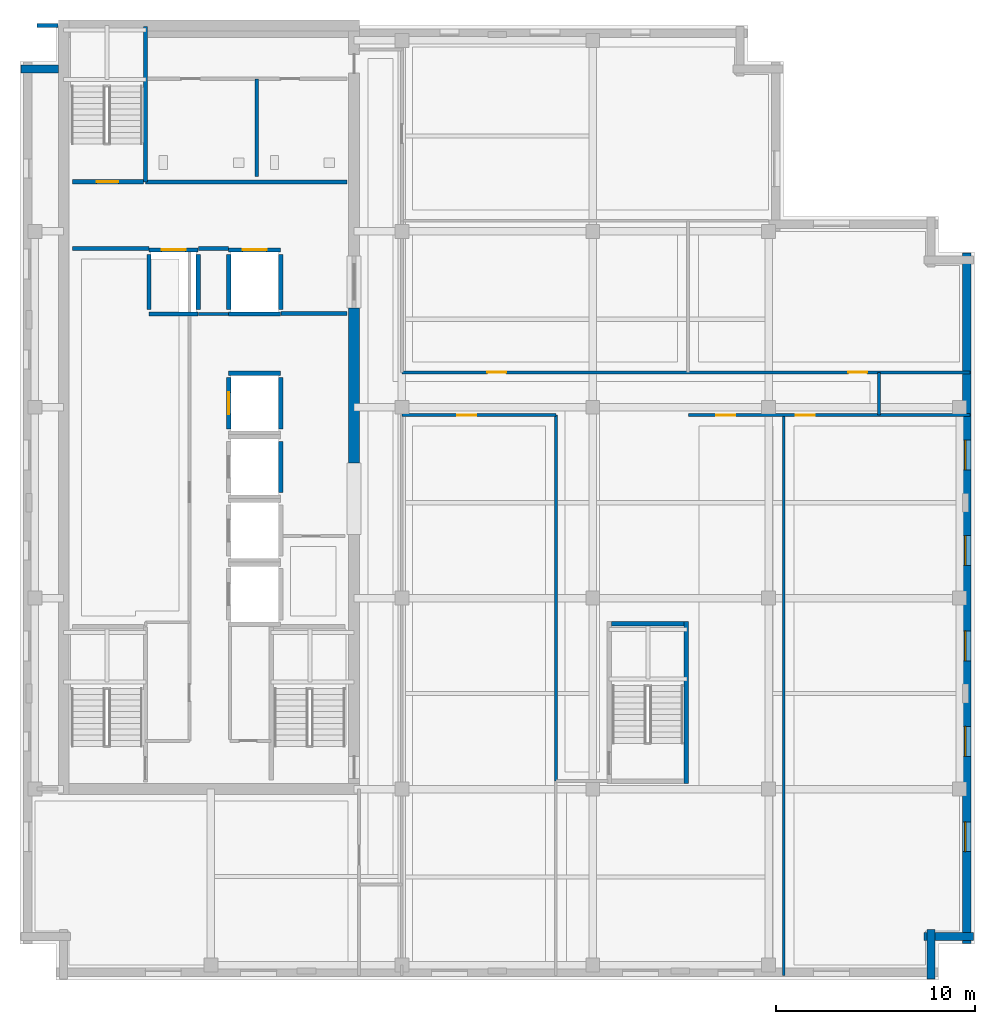
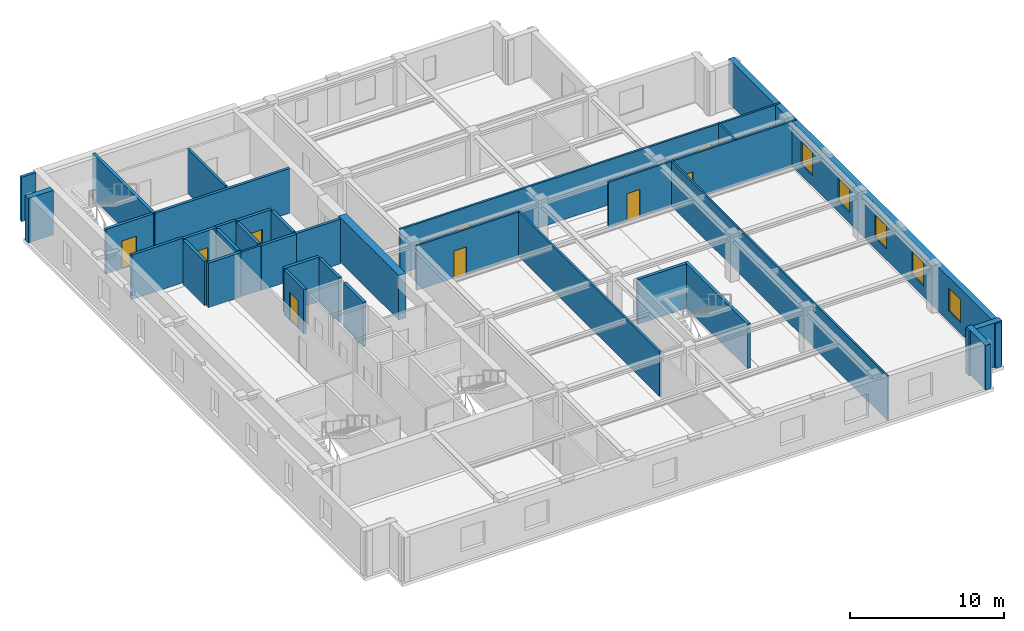
# One storey, part 4 of 10: 34 walls, 9 doors, 5 windows, 14 openings.
"""IFC4 building model written with IfcOpenShell, lengths in metres."""

from ifc_helpers import new_model, si_unit, direction, frame, frame_2d, origin, place, context, subcontext, project, spatial, rectangle, extrude, material, layer, layer_set, type_object, element, fill, save


model = new_model("IFC4")

# Units and contexts
model_context = context("Model", 3, precision=1e-05, world=origin(), true_north=direction((0.0, 1.0)))
body_context = subcontext(model_context, "Body", "Model", "MODEL_VIEW")
ifc_project = project(units=[si_unit("LENGTHUNIT", "METRE"), si_unit("AREAUNIT", "SQUARE_METRE"), si_unit("VOLUMEUNIT", "CUBIC_METRE"), si_unit("PLANEANGLEUNIT", "RADIAN"), si_unit("MASSUNIT", "GRAM", prefix="KILO")], contexts=[model_context])

# Site, building, storey
site_placement = place(None, origin())
site = spatial("IfcSite", under=ifc_project, at=site_placement, CompositionType="ELEMENT")
building_placement = place(site_placement, origin())
building = spatial("IfcBuilding", under=site, at=building_placement, Name="Norrvale University Quadrangle", CompositionType="ELEMENT")
storey_placement = place(building_placement, frame((0.0, 0.0, 292.39990234375)))
storey = spatial("IfcBuildingStorey", under=building, at=storey_placement, Name="L74", CompositionType="ELEMENT", Elevation=292.39990234375)

# Walls
ifc_material_1 = material(Name="Buff Norman Clay Brick Masonry", Category="masonry")
ifc_layer_1 = layer(ifc_material_1, 0.419921875, Name="Buff Norman Clay Brick Masonry")
ifc_layer_set_1 = layer_set([ifc_layer_1], Name="Buff Norman Clay Brick Masonry")
wall_type_1 = type_object("IfcWallType", Name="Wall Buff Brick 420", PredefinedType="SOLIDWALL", material=ifc_layer_set_1)
for number, where, z_axis, x_axis, name in (
    (1, (45.81005859375, 0.0400390625, 0.0), (0.0, 0.0, 1.0), (0.0, 1.0, 0.0), "Exterior Brick Facade Wall L74-02.1"),
    (2, (45.4599609375, 2.18994140625, 0.0), (0.0, 0.0, 1.0), (1.0, 0.0, 0.0), "Exterior Brick Facade Wall L74-03.1"),
):
    element("IfcWall", number, at=place(storey_placement, frame(where, z_axis=z_axis, x_axis=x_axis)), inside=storey, type_object=wall_type_1, Name=name, PredefinedType="SOLIDWALL", context=body_context, shape_type="SweptSolid", body=[
        extrude(rectangle(XDim=2.5, YDim=0.419921875, at=frame_2d((1.25, 0.0))), origin(), (0.0, 0.0, 1.0), 3.5400390625),
    ])

# Wall, openings, windows
wall_1_placement = place(storey_placement, frame((47.610107421875, 1.840087890625, 0.0), z_axis=(0.0, 0.0, 1.0), x_axis=(0.0, 1.0, 0.0)))
wall_1 = element("IfcWall", 3, at=wall_1_placement, inside=storey, type_object=wall_type_1, Name="Exterior Brick Facade Wall L74-04.1", PredefinedType="SOLIDWALL", context=body_context, shape_type="SweptSolid", body=[
    extrude(rectangle(XDim=34.719970703125, YDim=0.419921875, at=frame_2d((17.35986328125, 0.0))), origin(), (0.0, 0.0, 1.0), 3.5400390625),
])
opening_1_placement = place(wall_1_placement, frame((4.610107421875, 0.0, 0.85009765625)))
opening_1 = element("IfcOpeningElement", 4, at=opening_1_placement, cuts=wall_1, Name="Opening W03", PredefinedType="OPENING", context=body_context, shape_type="SweptSolid", body=[
    extrude(rectangle(XDim=1.5, YDim=1.85009765625, at=frame_2d((0.75, 0.925048828125))), frame((0.0, 0.221923828125, 0.0), z_axis=(0.0, -1.0, 0.0), x_axis=(1.0, 0.0, 0.0)), (0.0, 0.0, 1.0), 0.44384765625),
])
opening_2_placement = place(wall_1_placement, frame((9.409912109375, 0.0, 0.85009765625)))
opening_2 = element("IfcOpeningElement", 5, at=opening_2_placement, cuts=wall_1, Name="Opening W03", PredefinedType="OPENING", context=body_context, shape_type="SweptSolid", body=[
    extrude(rectangle(XDim=1.5, YDim=1.85009765625, at=frame_2d((0.75, 0.925048828125))), frame((0.0, 0.221923828125, 0.0), z_axis=(0.0, -1.0, 0.0), x_axis=(1.0, 0.0, 0.0)), (0.0, 0.0, 1.0), 0.44384765625),
])
opening_3_placement = place(wall_1_placement, frame((14.2099609375, 0.0, 0.85009765625)))
opening_3 = element("IfcOpeningElement", 6, at=opening_3_placement, cuts=wall_1, Name="Opening W03", PredefinedType="OPENING", context=body_context, shape_type="SweptSolid", body=[
    extrude(rectangle(XDim=1.5, YDim=1.85009765625, at=frame_2d((0.75, 0.925048828125))), frame((0.0, 0.221923828125, 0.0), z_axis=(0.0, -1.0, 0.0), x_axis=(1.0, 0.0, 0.0)), (0.0, 0.0, 1.0), 0.44384765625),
])
opening_4_placement = place(wall_1_placement, frame((19.010009765625, 0.0, 0.85009765625)))
opening_4 = element("IfcOpeningElement", 7, at=opening_4_placement, cuts=wall_1, Name="Opening W03", PredefinedType="OPENING", context=body_context, shape_type="SweptSolid", body=[
    extrude(rectangle(XDim=1.5, YDim=1.85009765625, at=frame_2d((0.75, 0.925048828125))), frame((0.0, 0.221923828125, 0.0), z_axis=(0.0, -1.0, 0.0), x_axis=(1.0, 0.0, 0.0)), (0.0, 0.0, 1.0), 0.44384765625),
])
opening_5_placement = place(wall_1_placement, frame((23.81005859375, 0.0, 0.85009765625)))
opening_5 = element("IfcOpeningElement", 8, at=opening_5_placement, cuts=wall_1, Name="Opening W03", PredefinedType="OPENING", context=body_context, shape_type="SweptSolid", body=[
    extrude(rectangle(XDim=1.5, YDim=1.85009765625, at=frame_2d((0.75, 0.925048828125))), frame((0.0, 0.221923828125, 0.0), z_axis=(0.0, -1.0, 0.0), x_axis=(1.0, 0.0, 0.0)), (0.0, 0.0, 1.0), 0.44384765625),
])
ifc_material_2 = material(Name="Triple Low-E Argon Glazing", Category="glass")
window_type = type_object("IfcWindowType", Name="Window Studio 1500x2300", PartitioningType="DOUBLE_PANEL_VERTICAL", PredefinedType="WINDOW", material=ifc_material_2)
window_1_placement = place(opening_1_placement, origin())
window_1 = element("IfcWindow", 9, at=window_1_placement, inside=storey, type_object=window_type, Name="Window Studio 1500x2300 WIN-L74-E04-1-01", OverallHeight=1.85009765625, OverallWidth=1.5, PartitioningType="DOUBLE_PANEL_VERTICAL", PredefinedType="WINDOW", context=body_context, shape_type="SweptSolid", body=[
    extrude(rectangle(XDim=1.5, YDim=1.85009765625, at=frame_2d((0.75, 0.925048828125))), frame((0.0, 0.110107421875, 0.0), z_axis=(0.0, -1.0, 0.0), x_axis=(1.0, 0.0, 0.0)), (0.0, 0.0, 1.0), 0.06005859375),
])
fill(opening_1, window_1)
window_2_placement = place(opening_2_placement, origin())
window_2 = element("IfcWindow", 10, at=window_2_placement, inside=storey, type_object=window_type, Name="Window Studio 1500x2300 WIN-L74-E04-1-02", OverallHeight=1.85009765625, OverallWidth=1.5, PartitioningType="DOUBLE_PANEL_VERTICAL", PredefinedType="WINDOW", context=body_context, shape_type="SweptSolid", body=[
    extrude(rectangle(XDim=1.5, YDim=1.85009765625, at=frame_2d((0.75, 0.925048828125))), frame((0.0, 0.110107421875, 0.0), z_axis=(0.0, -1.0, 0.0), x_axis=(1.0, 0.0, 0.0)), (0.0, 0.0, 1.0), 0.06005859375),
])
fill(opening_2, window_2)
window_3_placement = place(opening_3_placement, origin())
window_3 = element("IfcWindow", 11, at=window_3_placement, inside=storey, type_object=window_type, Name="Window Studio 1500x2300 WIN-L74-E04-1-03", OverallHeight=1.85009765625, OverallWidth=1.5, PartitioningType="DOUBLE_PANEL_VERTICAL", PredefinedType="WINDOW", context=body_context, shape_type="SweptSolid", body=[
    extrude(rectangle(XDim=1.5, YDim=1.85009765625, at=frame_2d((0.75, 0.925048828125))), frame((0.0, 0.110107421875, 0.0), z_axis=(0.0, -1.0, 0.0), x_axis=(1.0, 0.0, 0.0)), (0.0, 0.0, 1.0), 0.06005859375),
])
fill(opening_3, window_3)
window_4_placement = place(opening_4_placement, origin())
window_4 = element("IfcWindow", 12, at=window_4_placement, inside=storey, type_object=window_type, Name="Window Studio 1500x2300 WIN-L74-E04-1-04", OverallHeight=1.85009765625, OverallWidth=1.5, PartitioningType="DOUBLE_PANEL_VERTICAL", PredefinedType="WINDOW", context=body_context, shape_type="SweptSolid", body=[
    extrude(rectangle(XDim=1.5, YDim=1.85009765625, at=frame_2d((0.75, 0.925048828125))), frame((0.0, 0.110107421875, 0.0), z_axis=(0.0, -1.0, 0.0), x_axis=(1.0, 0.0, 0.0)), (0.0, 0.0, 1.0), 0.06005859375),
])
fill(opening_4, window_4)
window_5_placement = place(opening_5_placement, origin())
window_5 = element("IfcWindow", 13, at=window_5_placement, inside=storey, type_object=window_type, Name="Window Studio 1500x2300 WIN-L74-E04-1-05", OverallHeight=1.85009765625, OverallWidth=1.5, PartitioningType="DOUBLE_PANEL_VERTICAL", PredefinedType="WINDOW", context=body_context, shape_type="SweptSolid", body=[
    extrude(rectangle(XDim=1.5, YDim=1.85009765625, at=frame_2d((0.75, 0.925048828125))), frame((0.0, 0.110107421875, 0.0), z_axis=(0.0, -1.0, 0.0), x_axis=(1.0, 0.0, 0.0)), (0.0, 0.0, 1.0), 0.06005859375),
])
fill(opening_5, window_5)

# Walls
wall_2_placement = place(storey_placement, frame((1.925048828125, 45.81005859375, 0.0), z_axis=(0.0, 0.0, 1.0), x_axis=(-1.0, 0.0, 0.0)))
element("IfcWall", 14, at=wall_2_placement, inside=storey, type_object=wall_type_1, Name="Exterior Brick Facade Wall L74-13.1", PredefinedType="SOLIDWALL", context=body_context, shape_type="SweptSolid", body=[
    extrude(rectangle(XDim=1.885009765625, YDim=0.419921875, at=frame_2d((0.9423828125, 0.0))), origin(), (0.0, 0.0, 1.0), 3.5400390625),
])
ifc_material_3 = material(Name="Concrete C60/75", Category="concrete")
ifc_layer_2 = layer(ifc_material_3, 0.550048828125, Name="Concrete C60/75")
ifc_layer_set_2 = layer_set([ifc_layer_2], Name="Concrete C60/75")
wall_type_2 = type_object("IfcWallType", Name="Wall Core 550", PredefinedType="SHEAR", material=ifc_layer_set_2)
wall_3_placement = place(storey_placement, frame((16.800048828125, 26.0, 0.0), z_axis=(0.0, 0.0, 1.0), x_axis=(0.0, 1.0, 0.0)))
element("IfcWall", 15, at=wall_3_placement, inside=storey, type_object=wall_type_2, Name="Tower Core Shear Wall L74-E2", PredefinedType="SHEAR", context=body_context, shape_type="SweptSolid", body=[
    extrude(rectangle(XDim=7.800048828125, YDim=0.550048828125, at=frame_2d((3.89990234375, 0.0))), origin(), (0.0, 0.0, 1.0), 3.5400390625),
])
ifc_material_4 = material(Name="Standard Academic Gypsum Partition")
ifc_layer_3 = layer(ifc_material_4, 0.125, Name="Standard Academic Gypsum Partition")
ifc_layer_set_3 = layer_set([ifc_layer_3], Name="Standard Academic Gypsum Partition")
wall_type_3 = type_object("IfcWallType", Name="Wall Gypsum Academic 125", PredefinedType="PARTITIONING", material=ifc_layer_set_3)
wall_4_placement = place(storey_placement, frame((38.39990234375, 0.219970703125, 0.0), z_axis=(0.0, 0.0, 1.0), x_axis=(0.0, 1.0, 0.0)))
element("IfcWall", 16, at=wall_4_placement, inside=storey, type_object=wall_type_3, Name="Interior Partition WL-L74-SEP2", PredefinedType="PARTITIONING", context=body_context, shape_type="SweptSolid", body=[
    extrude(rectangle(XDim=28.179931640625, YDim=0.125, at=frame_2d((14.08984375, 0.0))), origin(), (0.0, 0.0, 1.0), 3.5400390625),
])
ifc_material_5 = material(Name="Fire-Rated Gypsum Stud Partition")
ifc_layer_4 = layer(ifc_material_5, 0.14990234375, Name="Fire-Rated Gypsum Stud Partition")
ifc_layer_set_4 = layer_set([ifc_layer_4], Name="Fire-Rated Gypsum Stud Partition")
wall_type_4 = type_object("IfcWallType", Name="Wall Gypsum Corridor 150", PredefinedType="PARTITIONING", material=ifc_layer_set_4)
wall_5_placement = place(storey_placement, frame((8.965087890625, 33.489990234375, 0.0), z_axis=(0.0, 0.0, 1.0), x_axis=(1.0, 0.0, 0.0)))
element("IfcWall", 17, at=wall_5_placement, inside=storey, type_object=wall_type_4, Name="Interior Partition WL-L74-LL3", PredefinedType="PARTITIONING", context=body_context, shape_type="SweptSolid", body=[
    extrude(rectangle(XDim=1.52001953125, YDim=0.14990234375, at=frame_2d((0.760009765625, 0.0))), origin(), (0.0, 0.0, 1.0), 3.5400390625),
])
wall_6_placement = place(storey_placement, frame((43.199951171875, 28.39990234375, 0.0), z_axis=(0.0, 0.0, 1.0), x_axis=(0.0, 1.0, 0.0)))
element("IfcWall", 18, at=wall_6_placement, inside=storey, type_object=wall_type_4, Name="Interior Partition WL-L74-CESP-E", PredefinedType="PARTITIONING", context=body_context, shape_type="SweptSolid", body=[
    extrude(rectangle(XDim=2.150146484375, YDim=0.14990234375, at=frame_2d((1.0751953125, 0.0))), origin(), (0.0, 0.0, 1.0), 3.5400390625),
])

# Wall, opening, door
wall_7_placement = place(storey_placement, frame((19.199951171875, 28.39990234375, 0.0), z_axis=(0.0, 0.0, 1.0), x_axis=(1.0, 0.0, 0.0)))
wall_7 = element("IfcWall", 19, at=wall_7_placement, inside=storey, type_object=wall_type_4, Name="Interior Partition WL-L74-SEW1", PredefinedType="PARTITIONING", context=body_context, shape_type="SweptSolid", body=[
    extrude(rectangle(XDim=7.75, YDim=0.14990234375, at=frame_2d((3.875, 0.0))), origin(), (0.0, 0.0, 1.0), 3.5400390625),
])
opening_6_placement = place(wall_7_placement, frame((2.800048828125, 0.0, 0.0)))
opening_6 = element("IfcOpeningElement", 20, at=opening_6_placement, cuts=wall_7, Name="Opening D07", PredefinedType="OPENING", context=body_context, shape_type="SweptSolid", body=[
    extrude(rectangle(XDim=0.949951171875, YDim=2.14990234375, at=frame_2d((0.47509765625, 1.074951171875))), frame((0.0, 0.0869140625, 0.0), z_axis=(0.0, -1.0, 0.0), x_axis=(1.0, 0.0, 0.0)), (0.0, 0.0, 1.0), 0.173828125),
])
ifc_material_6 = material(Name="Solid-Core Maple Door", Category="wood")
door_type_1 = type_object("IfcDoorType", Name="Door Office 950x2150", OperationType="NOTDEFINED", PredefinedType="DOOR", material=ifc_material_6)
door_1_placement = place(opening_6_placement, origin())
door_1 = element("IfcDoor", 21, at=door_1_placement, inside=storey, type_object=door_type_1, Name="Door Office 950x2150 DR-L74-SE1", OperationType="SINGLE_SWING_LEFT", OverallHeight=2.14990234375, OverallWidth=0.949951171875, PredefinedType="DOOR", context=body_context, shape_type="SweptSolid", body=[
    extrude(rectangle(XDim=0.949951171875, YDim=2.14990234375, at=frame_2d((0.47509765625, 1.074951171875))), frame((0.0, 0.02490234375, 0.0), z_axis=(0.0, -1.0, 0.0), x_axis=(1.0, 0.0, 0.0)), (0.0, 0.0, 1.0), 0.050048828125),
])
fill(opening_6, door_1)

# Wall
wall_8_placement = place(storey_placement, frame((26.949951171875, 10.0, 0.0), z_axis=(0.0, 0.0, 1.0), x_axis=(0.0, 1.0, 0.0)))
element("IfcWall", 22, at=wall_8_placement, inside=storey, type_object=wall_type_4, Name="Interior Partition WL-L74-SEP1B", PredefinedType="PARTITIONING", context=body_context, shape_type="SweptSolid", body=[
    extrude(rectangle(XDim=18.39990234375, YDim=0.14990234375, at=frame_2d((9.199951171875, 0.0))), origin(), (0.0, 0.0, 1.0), 3.5400390625),
])

# Wall, openings, doors
wall_9_placement = place(storey_placement, frame((33.6201171875, 28.39990234375, 0.0), z_axis=(0.0, 0.0, 1.0), x_axis=(1.0, 0.0, 0.0)))
wall_9 = element("IfcWall", 23, at=wall_9_placement, inside=storey, type_object=wall_type_4, Name="Interior Partition WL-L74-SEW2", PredefinedType="PARTITIONING", context=body_context, shape_type="SweptSolid", body=[
    extrude(rectangle(XDim=14.159912109375, YDim=0.14990234375, at=frame_2d((7.080078125, 0.0))), origin(), (0.0, 0.0, 1.0), 3.5400390625),
])
opening_7_placement = place(wall_9_placement, frame((1.39990234375, 0.0, 0.0)))
opening_7 = element("IfcOpeningElement", 24, at=opening_7_placement, cuts=wall_9, Name="Opening D07", PredefinedType="OPENING", context=body_context, shape_type="SweptSolid", body=[
    extrude(rectangle(XDim=0.949951171875, YDim=2.14990234375, at=frame_2d((0.47509765625, 1.074951171875))), frame((0.0, 0.0869140625, 0.0), z_axis=(0.0, -1.0, 0.0), x_axis=(1.0, 0.0, 0.0)), (0.0, 0.0, 1.0), 0.173828125),
])
opening_8_placement = place(wall_9_placement, frame((5.39990234375, 0.0, 0.0)))
opening_8 = element("IfcOpeningElement", 25, at=opening_8_placement, cuts=wall_9, Name="Opening D07", PredefinedType="OPENING", context=body_context, shape_type="SweptSolid", body=[
    extrude(rectangle(XDim=0.949951171875, YDim=2.14990234375, at=frame_2d((0.47509765625, 1.074951171875))), frame((0.0, 0.0869140625, 0.0), z_axis=(0.0, -1.0, 0.0), x_axis=(1.0, 0.0, 0.0)), (0.0, 0.0, 1.0), 0.173828125),
])
door_2_placement = place(opening_7_placement, origin())
door_2 = element("IfcDoor", 26, at=door_2_placement, inside=storey, type_object=door_type_1, Name="Door Office 950x2150 DR-L74-SE2", OperationType="SINGLE_SWING_RIGHT", OverallHeight=2.14990234375, OverallWidth=0.949951171875, PredefinedType="DOOR", context=body_context, shape_type="SweptSolid", body=[
    extrude(rectangle(XDim=0.949951171875, YDim=2.14990234375, at=frame_2d((0.47509765625, 1.074951171875))), frame((0.0, 0.02490234375, 0.0), z_axis=(0.0, -1.0, 0.0), x_axis=(1.0, 0.0, 0.0)), (0.0, 0.0, 1.0), 0.050048828125),
])
fill(opening_7, door_2)
door_3_placement = place(opening_8_placement, origin())
door_3 = element("IfcDoor", 27, at=door_3_placement, inside=storey, type_object=door_type_1, Name="Door Office 950x2150 DR-L74-SE3", OperationType="SINGLE_SWING_LEFT", OverallHeight=2.14990234375, OverallWidth=0.949951171875, PredefinedType="DOOR", context=body_context, shape_type="SweptSolid", body=[
    extrude(rectangle(XDim=0.949951171875, YDim=2.14990234375, at=frame_2d((0.47509765625, 1.074951171875))), frame((0.0, 0.02490234375, 0.0), z_axis=(0.0, -1.0, 0.0), x_axis=(1.0, 0.0, 0.0)), (0.0, 0.0, 1.0), 0.050048828125),
])
fill(opening_8, door_3)

wall_10_placement = place(storey_placement, frame((19.199951171875, 30.550048828125, 0.0), z_axis=(0.0, 0.0, 1.0), x_axis=(1.0, 0.0, 0.0)))
wall_10 = element("IfcWall", 28, at=wall_10_placement, inside=storey, type_object=wall_type_4, Name="Interior Partition WL-L74-MECW", PredefinedType="PARTITIONING", context=body_context, shape_type="SweptSolid", body=[
    extrude(rectangle(XDim=28.580078125, YDim=0.14990234375, at=frame_2d((14.2900390625, 0.0))), origin(), (0.0, 0.0, 1.0), 3.5400390625),
])
opening_9_placement = place(wall_10_placement, frame((4.300048828125, 0.0, 0.0)))
opening_9 = element("IfcOpeningElement", 29, at=opening_9_placement, cuts=wall_10, Name="Opening D07", PredefinedType="OPENING", context=body_context, shape_type="SweptSolid", body=[
    extrude(rectangle(XDim=0.949951171875, YDim=2.14990234375, at=frame_2d((0.47509765625, 1.074951171875))), frame((0.0, 0.0869140625, 0.0), z_axis=(0.0, -1.0, 0.0), x_axis=(1.0, 0.0, 0.0)), (0.0, 0.0, 1.0), 0.173828125),
])
opening_10_placement = place(wall_10_placement, frame((22.449951171875, 0.0, 0.0)))
opening_10 = element("IfcOpeningElement", 30, at=opening_10_placement, cuts=wall_10, Name="Opening D07", PredefinedType="OPENING", context=body_context, shape_type="SweptSolid", body=[
    extrude(rectangle(XDim=0.949951171875, YDim=2.14990234375, at=frame_2d((0.47509765625, 1.074951171875))), frame((0.0, 0.0869140625, 0.0), z_axis=(0.0, -1.0, 0.0), x_axis=(1.0, 0.0, 0.0)), (0.0, 0.0, 1.0), 0.173828125),
])
door_4_placement = place(opening_9_placement, origin())
door_4 = element("IfcDoor", 31, at=door_4_placement, inside=storey, type_object=door_type_1, Name="Door Office 950x2150 DR-L74-ME01", OperationType="SINGLE_SWING_LEFT", OverallHeight=2.14990234375, OverallWidth=0.949951171875, PredefinedType="DOOR", context=body_context, shape_type="SweptSolid", body=[
    extrude(rectangle(XDim=0.949951171875, YDim=2.14990234375, at=frame_2d((0.47509765625, 1.074951171875))), frame((0.0, 0.02490234375, 0.0), z_axis=(0.0, -1.0, 0.0), x_axis=(1.0, 0.0, 0.0)), (0.0, 0.0, 1.0), 0.050048828125),
])
fill(opening_9, door_4)
door_5_placement = place(opening_10_placement, origin())
door_5 = element("IfcDoor", 32, at=door_5_placement, inside=storey, type_object=door_type_1, Name="Door Office 950x2150 DR-L74-ME02", OperationType="SINGLE_SWING_RIGHT", OverallHeight=2.14990234375, OverallWidth=0.949951171875, PredefinedType="DOOR", context=body_context, shape_type="SweptSolid", body=[
    extrude(rectangle(XDim=0.949951171875, YDim=2.14990234375, at=frame_2d((0.47509765625, 1.074951171875))), frame((0.0, 0.02490234375, 0.0), z_axis=(0.0, -1.0, 0.0), x_axis=(1.0, 0.0, 0.0)), (0.0, 0.0, 1.0), 0.050048828125),
])
fill(opening_10, door_5)

# Walls
ifc_material_7 = material(Name="Sanitary Chase Gypsum Partition")
ifc_layer_5 = layer(ifc_material_7, 0.1650390625, Name="Sanitary Chase Gypsum Partition")
ifc_layer_set_5 = layer_set([ifc_layer_5], Name="Sanitary Chase Gypsum Partition")
wall_type_5 = type_object("IfcWallType", Name="Wall Gypsum Sanitary 165", PredefinedType="PLUMBINGWALL", material=ifc_layer_set_5)
wall_11_placement = place(storey_placement, frame((11.89990234375, 40.39990234375, 0.0), z_axis=(0.0, 0.0, 1.0), x_axis=(0.0, 1.0, 0.0)))
element("IfcWall", 33, at=wall_11_placement, inside=storey, type_object=wall_type_5, Name="Interior Partition WL-L74-WCM1", PredefinedType="PLUMBINGWALL", context=body_context, shape_type="SweptSolid", body=[
    extrude(rectangle(XDim=4.920166015625, YDim=0.1650390625, at=frame_2d((2.4599609375, 0.0))), origin(), (0.0, 0.0, 1.0), 3.5400390625),
])
ifc_material_8 = material(Name="Concrete Blockwork 20 MPa Rated Wall", Category="masonry")
ifc_layer_6 = layer(ifc_material_8, 0.199951171875, Name="Concrete Blockwork 20 MPa Rated Wall")
ifc_layer_set_6 = layer_set([ifc_layer_6], Name="Concrete Blockwork 20 MPa Rated Wall")
wall_type_6 = type_object("IfcWallType", Name="Wall Lobby 200", PredefinedType="SOLIDWALL", material=ifc_layer_set_6)
wall_12_placement = place(storey_placement, frame((2.64990234375, 36.780029296875, 0.0), z_axis=(0.0, 0.0, 1.0), x_axis=(1.0, 0.0, 0.0)))
element("IfcWall", 34, at=wall_12_placement, inside=storey, type_object=wall_type_6, Name="Interior Partition WL-L74-FF1", PredefinedType="SOLIDWALL", context=body_context, shape_type="SweptSolid", body=[
    extrude(rectangle(XDim=3.830078125, YDim=0.199951171875, at=frame_2d((1.9150390625, 0.0))), origin(), (0.0, 0.0, 1.0), 3.5400390625),
])
wall_13_placement = place(storey_placement, frame((8.969970703125, 36.780029296875, 0.0), z_axis=(0.0, 0.0, 1.0), x_axis=(1.0, 0.0, 0.0)))
element("IfcWall", 35, at=wall_13_placement, inside=storey, type_object=wall_type_6, Name="Interior Partition WL-L74-FF2", PredefinedType="SOLIDWALL", context=body_context, shape_type="SweptSolid", body=[
    extrude(rectangle(XDim=1.510009765625, YDim=0.199951171875, at=frame_2d((0.7548828125, 0.0))), origin(), (0.0, 0.0, 1.0), 3.5400390625),
])
wall_14_placement = place(storey_placement, frame((13.1201171875, 33.52001953125, 0.0), z_axis=(0.0, 0.0, 1.0), x_axis=(1.0, 0.0, 0.0)))
element("IfcWall", 36, at=wall_14_placement, inside=storey, type_object=wall_type_6, Name="Interior Partition WL-L74-FF3", PredefinedType="SOLIDWALL", context=body_context, shape_type="SweptSolid", body=[
    extrude(rectangle(XDim=3.329833984375, YDim=0.199951171875, at=frame_2d((1.6650390625, 0.0))), origin(), (0.0, 0.0, 1.0), 3.5400390625),
])
wall_15_placement = place(storey_placement, frame((6.320068359375, 40.139892578125, 0.0), z_axis=(0.0, 0.0, 1.0), x_axis=(1.0, 0.0, 0.0)))
element("IfcWall", 37, at=wall_15_placement, inside=storey, type_object=wall_type_6, Name="Interior Partition WL-L74-FF4", PredefinedType="SOLIDWALL", context=body_context, shape_type="SweptSolid", body=[
    extrude(rectangle(XDim=10.1298828125, YDim=0.199951171875, at=frame_2d((5.06494140625, 0.0))), origin(), (0.0, 0.0, 1.0), 3.5400390625),
])
wall_16_placement = place(storey_placement, frame((0.85009765625, 48.0, 0.0), z_axis=(0.0, 0.0, 1.0), x_axis=(1.0, 0.0, 0.0)))
element("IfcWall", 38, at=wall_16_placement, inside=storey, type_object=wall_type_6, Name="Interior Partition WL-L74-CWRET-N", PredefinedType="SOLIDWALL", context=body_context, shape_type="SweptSolid", body=[
    extrude(rectangle(XDim=1.06982421875, YDim=0.199951171875, at=frame_2d((0.534912109375, 0.0))), origin(), (0.0, 0.0, 1.0), 3.5400390625),
])

# Wall, opening, door
ifc_material_9 = material(Name="Concrete Blockwork 20 MPa Fire Shaft", Category="masonry")
ifc_layer_7 = layer(ifc_material_9, 0.219970703125, Name="Concrete Blockwork 20 MPa Fire Shaft")
ifc_layer_set_7 = layer_set([ifc_layer_7], Name="Concrete Blockwork 20 MPa Fire Shaft")
wall_type_7 = type_object("IfcWallType", Name="Wall Shaft 220", PredefinedType="SOLIDWALL", material=ifc_layer_set_7)
wall_17_placement = place(storey_placement, frame((2.64990234375, 40.139892578125, 0.0), z_axis=(0.0, 0.0, 1.0), x_axis=(1.0, 0.0, 0.0)))
wall_17 = element("IfcWall", 39, at=wall_17_placement, inside=storey, type_object=wall_type_7, Name="Stair ST-02 South Shaft Wall L74", PredefinedType="SOLIDWALL", context=body_context, shape_type="SweptSolid", body=[
    extrude(rectangle(XDim=3.550048828125, YDim=0.219970703125, at=frame_2d((1.77490234375, 0.0))), origin(), (0.0, 0.0, 1.0), 3.5400390625),
])
opening_11_placement = place(wall_17_placement, frame((1.199951171875, 0.0, 0.0)))
opening_11 = element("IfcOpeningElement", 40, at=opening_11_placement, cuts=wall_17, Name="Opening D02", PredefinedType="OPENING", context=body_context, shape_type="SweptSolid", body=[
    extrude(rectangle(XDim=1.10009765625, YDim=2.199951171875, at=frame_2d((0.550048828125, 1.10009765625))), frame((0.0, 0.1220703125, 0.0), z_axis=(0.0, -1.0, 0.0), x_axis=(1.0, 0.0, 0.0)), (0.0, 0.0, 1.0), 0.243896484375),
])
ifc_material_10 = material(Name="Hollow Steel 350W Fire Door", Category="steel")
door_type_2 = type_object("IfcDoorType", Name="Door Stair Exit 1100x2200", OperationType="NOTDEFINED", PredefinedType="DOOR", material=ifc_material_10)
door_6_placement = place(opening_11_placement, origin())
door_6 = element("IfcDoor", 41, at=door_6_placement, inside=storey, type_object=door_type_2, Name="Door Stair Exit 1100x2200 DR-L74-ST02", OperationType="SINGLE_SWING_LEFT", OverallHeight=2.199951171875, OverallWidth=1.10009765625, PredefinedType="DOOR", context=body_context, shape_type="SweptSolid", body=[
    extrude(rectangle(XDim=1.10009765625, YDim=2.199951171875, at=frame_2d((0.550048828125, 1.10009765625))), frame((0.0, 0.02490234375, 0.0), z_axis=(0.0, -1.0, 0.0), x_axis=(1.0, 0.0, 0.0)), (0.0, 0.0, 1.0), 0.050048828125),
])
fill(opening_11, door_6)

# Walls
wall_18_placement = place(storey_placement, frame((6.31005859375, 40.139892578125, 0.0), z_axis=(0.0, 0.0, 1.0), x_axis=(0.0, 1.0, 0.0)))
element("IfcWall", 42, at=wall_18_placement, inside=storey, type_object=wall_type_7, Name="Stair ST-02 East Shaft Wall L74", PredefinedType="SOLIDWALL", context=body_context, shape_type="SweptSolid", body=[
    extrude(rectangle(XDim=7.81005859375, YDim=0.219970703125, at=frame_2d((3.905029296875, 0.0))), origin(), (0.0, 0.0, 1.0), 3.5400390625),
])
wall_19_placement = place(storey_placement, frame((33.510009765625, 9.8798828125, 0.0), z_axis=(0.0, 0.0, 1.0), x_axis=(0.0, 1.0, 0.0)))
element("IfcWall", 43, at=wall_19_placement, inside=storey, type_object=wall_type_7, Name="Stair ST-04 East Shaft Wall L74", PredefinedType="SOLIDWALL", context=body_context, shape_type="SweptSolid", body=[
    extrude(rectangle(XDim=8.14013671875, YDim=0.219970703125, at=frame_2d((4.070068359375, 0.0))), origin(), (0.0, 0.0, 1.0), 3.5400390625),
])
wall_20_placement = place(storey_placement, frame((29.75, 17.909912109375, 0.0), z_axis=(0.0, 0.0, 1.0), x_axis=(1.0, 0.0, 0.0)))
element("IfcWall", 44, at=wall_20_placement, inside=storey, type_object=wall_type_7, Name="Stair ST-04 North Shaft Wall L74", PredefinedType="SOLIDWALL", context=body_context, shape_type="SweptSolid", body=[
    extrude(rectangle(XDim=3.64990234375, YDim=0.219970703125, at=frame_2d((1.824951171875, 0.0))), origin(), (0.0, 0.0, 1.0), 3.5400390625),
])
wall_21_placement = place(storey_placement, frame((13.110107421875, 24.510009765625, 0.0), z_axis=(0.0, 0.0, 1.0), x_axis=(0.0, 1.0, 0.0)))
element("IfcWall", 45, at=wall_21_placement, inside=storey, type_object=wall_type_7, Name="Hoistway PL-07 East Wall L74", PredefinedType="SOLIDWALL", context=body_context, shape_type="SweptSolid", body=[
    extrude(rectangle(XDim=2.580078125, YDim=0.219970703125, at=frame_2d((1.2900390625, 0.0))), origin(), (0.0, 0.0, 1.0), 3.5400390625),
])

# Wall, opening, door
wall_22_placement = place(storey_placement, frame((10.489990234375, 27.7099609375, 0.0), z_axis=(0.0, 0.0, 1.0), x_axis=(0.0, 1.0, 0.0)))
wall_22 = element("IfcWall", 46, at=wall_22_placement, inside=storey, type_object=wall_type_7, Name="Hoistway PL-08 West Wall L74", PredefinedType="SOLIDWALL", context=body_context, shape_type="SweptSolid", body=[
    extrude(rectangle(XDim=2.580078125, YDim=0.219970703125, at=frame_2d((1.2900390625, 0.0))), origin(), (0.0, 0.0, 1.0), 3.5400390625),
])
opening_12_placement = place(wall_22_placement, frame((0.739990234375, 0.0, 0.0)))
opening_12 = element("IfcOpeningElement", 47, at=opening_12_placement, cuts=wall_22, Name="Opening LD1", PredefinedType="OPENING", context=body_context, shape_type="SweptSolid", body=[
    extrude(rectangle(XDim=1.10009765625, YDim=2.199951171875, at=frame_2d((0.550048828125, 1.10009765625))), frame((0.0, 0.1220703125, 0.0), z_axis=(0.0, -1.0, 0.0), x_axis=(1.0, 0.0, 0.0)), (0.0, 0.0, 1.0), 0.243896484375),
])
ifc_material_11 = material(Name="Stainless Steel 316L Lift Landing Door", Category="steel")
door_type_3 = type_object("IfcDoorType", Name="Door Lift Landing 1100x2200", OperationType="DOUBLE_DOOR_SLIDING", PredefinedType="DOOR", material=ifc_material_11)
door_7_placement = place(opening_12_placement, origin())
door_7 = element("IfcDoor", 48, at=door_7_placement, inside=storey, type_object=door_type_3, Name="Elevator Landing Door DR-L74-PL-08", OperationType="DOUBLE_DOOR_SLIDING", OverallHeight=2.199951171875, OverallWidth=1.10009765625, PredefinedType="DOOR", context=body_context, shape_type="SweptSolid", body=[
    extrude(rectangle(XDim=1.10009765625, YDim=2.199951171875, at=frame_2d((0.550048828125, 1.10009765625))), frame((0.0, 0.02490234375, 0.0), z_axis=(0.0, -1.0, 0.0), x_axis=(1.0, 0.0, 0.0)), (0.0, 0.0, 1.0), 0.050048828125),
])
fill(opening_12, door_7)

# Walls
wall_23_placement = place(storey_placement, frame((13.110107421875, 27.7099609375, 0.0), z_axis=(0.0, 0.0, 1.0), x_axis=(0.0, 1.0, 0.0)))
element("IfcWall", 49, at=wall_23_placement, inside=storey, type_object=wall_type_7, Name="Hoistway PL-08 East Wall L74", PredefinedType="SOLIDWALL", context=body_context, shape_type="SweptSolid", body=[
    extrude(rectangle(XDim=2.580078125, YDim=0.219970703125, at=frame_2d((1.2900390625, 0.0))), origin(), (0.0, 0.0, 1.0), 3.5400390625),
])
wall_24_placement = place(storey_placement, frame((10.489990234375, 30.510009765625, 0.0), z_axis=(0.0, 0.0, 1.0), x_axis=(1.0, 0.0, 0.0)))
element("IfcWall", 50, at=wall_24_placement, inside=storey, type_object=wall_type_7, Name="Hoistway PL-08 North Wall L74", PredefinedType="SOLIDWALL", context=body_context, shape_type="SweptSolid", body=[
    extrude(rectangle(XDim=2.6201171875, YDim=0.219970703125, at=frame_2d((1.31005859375, 0.0))), origin(), (0.0, 0.0, 1.0), 3.5400390625),
])
for number, where, z_axis, x_axis, name in (
    (51, (6.489990234375, 33.7099609375, 0.0), (0.0, 0.0, 1.0), (0.0, 1.0, 0.0), "Hoistway FFL-01 West Wall L74"),
    (52, (8.9599609375, 33.7099609375, 0.0), (0.0, 0.0, 1.0), (0.0, 1.0, 0.0), "Hoistway FFL-01 East Wall L74"),
):
    element("IfcWall", number, at=place(storey_placement, frame(where, z_axis=z_axis, x_axis=x_axis)), inside=storey, type_object=wall_type_7, Name=name, PredefinedType="SOLIDWALL", context=body_context, shape_type="SweptSolid", body=[
        extrude(rectangle(XDim=2.780029296875, YDim=0.219970703125, at=frame_2d((1.39013671875, 0.0))), origin(), (0.0, 0.0, 1.0), 3.5400390625),
    ])
wall_25_placement = place(storey_placement, frame((6.489990234375, 33.489990234375, 0.0), z_axis=(0.0, 0.0, 1.0), x_axis=(1.0, 0.0, 0.0)))
element("IfcWall", 53, at=wall_25_placement, inside=storey, type_object=wall_type_7, Name="Hoistway FFL-01 South Wall L74", PredefinedType="SOLIDWALL", context=body_context, shape_type="SweptSolid", body=[
    extrude(rectangle(XDim=2.469970703125, YDim=0.219970703125, at=frame_2d((1.23486328125, 0.0))), origin(), (0.0, 0.0, 1.0), 3.5400390625),
])

# Wall, opening, door
wall_26_placement = place(storey_placement, frame((6.489990234375, 36.7099609375, 0.0), z_axis=(0.0, 0.0, 1.0), x_axis=(1.0, 0.0, 0.0)))
wall_26 = element("IfcWall", 54, at=wall_26_placement, inside=storey, type_object=wall_type_7, Name="Hoistway FFL-01 North Wall L74", PredefinedType="SOLIDWALL", context=body_context, shape_type="SweptSolid", body=[
    extrude(rectangle(XDim=2.469970703125, YDim=0.219970703125, at=frame_2d((1.23486328125, 0.0))), origin(), (0.0, 0.0, 1.0), 3.5400390625),
])
opening_13_placement = place(wall_26_placement, frame((0.635009765625, 0.0, 0.0)))
opening_13 = element("IfcOpeningElement", 55, at=opening_13_placement, cuts=wall_26, Name="Opening LD2", PredefinedType="OPENING", context=body_context, shape_type="SweptSolid", body=[
    extrude(rectangle(XDim=1.199951171875, YDim=2.199951171875, at=frame_2d((0.60009765625, 1.10009765625))), frame((0.0, 0.1220703125, 0.0), z_axis=(0.0, -1.0, 0.0), x_axis=(1.0, 0.0, 0.0)), (0.0, 0.0, 1.0), 0.243896484375),
])
ifc_material_12 = material(Name="Stainless Steel 316L Firefighter Lift Door", Category="steel")
door_type_4 = type_object("IfcDoorType", Name="Door Fire Lift 1200x2200", OperationType="DOUBLE_DOOR_SLIDING", PredefinedType="DOOR", material=ifc_material_12)
door_8_placement = place(opening_13_placement, origin())
door_8 = element("IfcDoor", 56, at=door_8_placement, inside=storey, type_object=door_type_4, Name="Elevator Landing Door DR-L74-FFL-01", OperationType="DOUBLE_DOOR_SLIDING", OverallHeight=2.199951171875, OverallWidth=1.199951171875, PredefinedType="DOOR", context=body_context, shape_type="SweptSolid", body=[
    extrude(rectangle(XDim=1.199951171875, YDim=2.199951171875, at=frame_2d((0.60009765625, 1.10009765625))), frame((0.0, 0.02490234375, 0.0), z_axis=(0.0, -1.0, 0.0), x_axis=(1.0, 0.0, 0.0)), (0.0, 0.0, 1.0), 0.050048828125),
])
fill(opening_13, door_8)

# Walls
for number, where, z_axis, x_axis, name in (
    (57, (10.489990234375, 33.7099609375, 0.0), (0.0, 0.0, 1.0), (0.0, 1.0, 0.0), "Hoistway FFL-02 West Wall L74"),
    (58, (13.110107421875, 33.7099609375, 0.0), (0.0, 0.0, 1.0), (0.0, 1.0, 0.0), "Hoistway FFL-02 East Wall L74"),
):
    element("IfcWall", number, at=place(storey_placement, frame(where, z_axis=z_axis, x_axis=x_axis)), inside=storey, type_object=wall_type_7, Name=name, PredefinedType="SOLIDWALL", context=body_context, shape_type="SweptSolid", body=[
        extrude(rectangle(XDim=2.780029296875, YDim=0.219970703125, at=frame_2d((1.39013671875, 0.0))), origin(), (0.0, 0.0, 1.0), 3.5400390625),
    ])
wall_27_placement = place(storey_placement, frame((10.489990234375, 33.489990234375, 0.0), z_axis=(0.0, 0.0, 1.0), x_axis=(1.0, 0.0, 0.0)))
element("IfcWall", 59, at=wall_27_placement, inside=storey, type_object=wall_type_7, Name="Hoistway FFL-02 South Wall L74", PredefinedType="SOLIDWALL", context=body_context, shape_type="SweptSolid", body=[
    extrude(rectangle(XDim=2.6201171875, YDim=0.219970703125, at=frame_2d((1.31005859375, 0.0))), origin(), (0.0, 0.0, 1.0), 3.5400390625),
])

# Wall, opening, door
wall_28_placement = place(storey_placement, frame((10.489990234375, 36.7099609375, 0.0), z_axis=(0.0, 0.0, 1.0), x_axis=(1.0, 0.0, 0.0)))
wall_28 = element("IfcWall", 60, at=wall_28_placement, inside=storey, type_object=wall_type_7, Name="Hoistway FFL-02 North Wall L74", PredefinedType="SOLIDWALL", context=body_context, shape_type="SweptSolid", body=[
    extrude(rectangle(XDim=2.6201171875, YDim=0.219970703125, at=frame_2d((1.31005859375, 0.0))), origin(), (0.0, 0.0, 1.0), 3.5400390625),
])
opening_14_placement = place(wall_28_placement, frame((0.7099609375, 0.0, 0.0)))
opening_14 = element("IfcOpeningElement", 61, at=opening_14_placement, cuts=wall_28, Name="Opening LD2", PredefinedType="OPENING", context=body_context, shape_type="SweptSolid", body=[
    extrude(rectangle(XDim=1.199951171875, YDim=2.199951171875, at=frame_2d((0.60009765625, 1.10009765625))), frame((0.0, 0.1220703125, 0.0), z_axis=(0.0, -1.0, 0.0), x_axis=(1.0, 0.0, 0.0)), (0.0, 0.0, 1.0), 0.243896484375),
])
door_9_placement = place(opening_14_placement, origin())
door_9 = element("IfcDoor", 62, at=door_9_placement, inside=storey, type_object=door_type_4, Name="Elevator Landing Door DR-L74-FFL-02", OperationType="DOUBLE_DOOR_SLIDING", OverallHeight=2.199951171875, OverallWidth=1.199951171875, PredefinedType="DOOR", context=body_context, shape_type="SweptSolid", body=[
    extrude(rectangle(XDim=1.199951171875, YDim=2.199951171875, at=frame_2d((0.60009765625, 1.10009765625))), frame((0.0, 0.02490234375, 0.0), z_axis=(0.0, -1.0, 0.0), x_axis=(1.0, 0.0, 0.0)), (0.0, 0.0, 1.0), 0.050048828125),
])
fill(opening_14, door_9)

save(model, "model.ifc")
